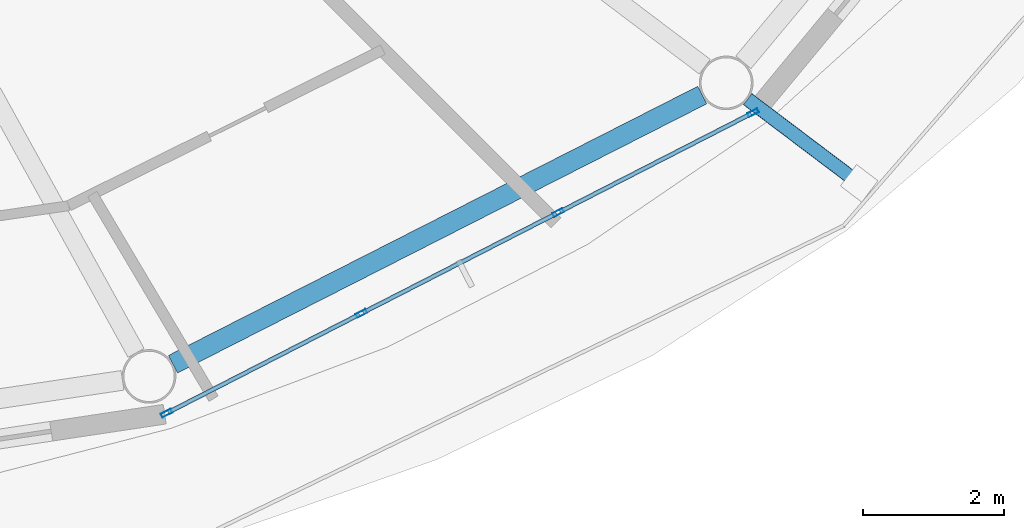
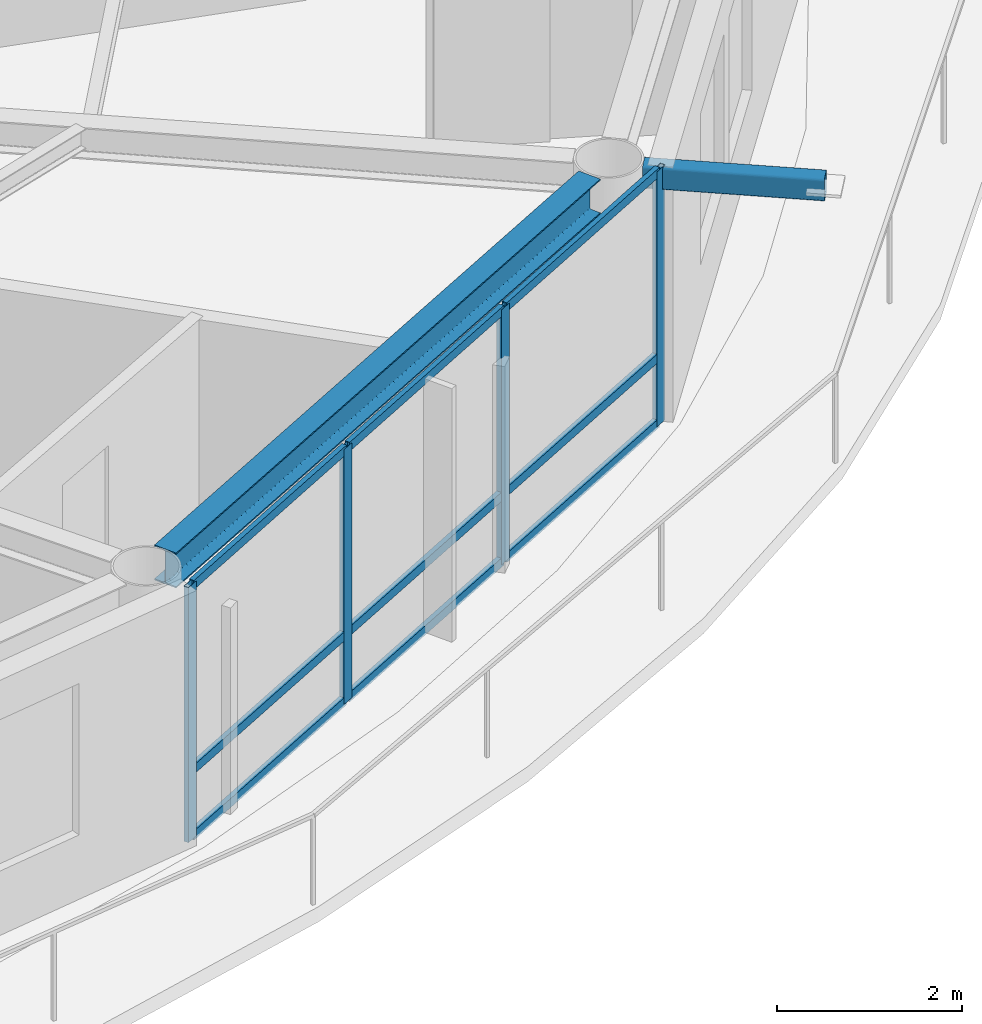
# One storey, part 5 of 23: 14 members, 1 beam, 1 element without a shape of its own.
"""IFC4 building model written with IfcOpenShell, lengths in metres."""

from ifc_helpers import new_model, si_unit, direction, frame, origin, origin_2d, place, context, subcontext, project, spatial, hollow_rectangle, i_section, extrude, material, layer, layer_set, material_profile, profile_set, type_object, element, aggregate, save


model = new_model("IFC4")

# Units and contexts
model_context = context("Model", 3, precision=1e-05, world=origin(), true_north=direction((0.0, 1.0)))
body_context = subcontext(model_context, "Body", "Model", "MODEL_VIEW")
ifc_project = project(units=[si_unit("LENGTHUNIT", "METRE"), si_unit("AREAUNIT", "SQUARE_METRE"), si_unit("VOLUMEUNIT", "CUBIC_METRE"), si_unit("PLANEANGLEUNIT", "RADIAN"), si_unit("MASSUNIT", "GRAM", prefix="KILO")], contexts=[model_context])

# Site, building, storey
site_placement = place(None, origin())
site = spatial("IfcSite", under=ifc_project, at=site_placement, CompositionType="ELEMENT")
building_placement = place(site_placement, origin())
building = spatial("IfcBuilding", under=site, at=building_placement, Name="Sarneth Arch Tower", CompositionType="ELEMENT")
storey_placement = place(building_placement, frame((0.0, 0.0, 265.800048828125)))
storey = spatial("IfcBuildingStorey", under=building, at=storey_placement, Name="L68", CompositionType="ELEMENT", Elevation=265.800048828125)

# Beam
ifc_material_1 = material(Name="Steel S355", Category="steel")
ifc_material_profile_1 = material_profile(ifc_material_1, i_section(OverallWidth=0.280029296875, OverallDepth=0.462890625, WebThickness=0.0107421875, FlangeThickness=0.017333984375, FilletRadius=0.01806640625, at=origin_2d()), Name="W460x113")
ifc_profile_set_1 = profile_set([ifc_material_profile_1], Name="Steel S355")
beam_type = type_object("IfcBeamType", Name="BM-RAD-460A", PredefinedType="BEAM", material=ifc_profile_set_1)
beam_placement = place(storey_placement, frame((58.13037109375, 24.434326171875, 3.138427734375), z_axis=(0.891373613492, 0.453269325204, 0.0), x_axis=(-0.453269325204, 0.891373613492, 0.0)))
element("IfcBeam", 1, at=beam_placement, inside=storey, type_object=beam_type, Name="L68 Perimeter spandrel beam 14", PredefinedType="BEAM", context=body_context, shape_type="SweptSolid", body=[
    extrude(i_section(OverallWidth=0.280029296875, OverallDepth=0.462890625, WebThickness=0.0107421875, FlangeThickness=0.017333984375, FilletRadius=0.01806640625, at=origin_2d()), origin(), (0.0, 0.0, 1.0), 8.419677734375),
])

# Curtain wall, members
ifc_material_2 = material(Name="Anodised aluminium Type AA25 and solar-control low-e laminated IGU", Category="aluminium")
ifc_layer = layer(ifc_material_2, 0.179931640625)
ifc_layer_set = layer_set([ifc_layer], Name="Anodised aluminium Type AA25 and solar-control low-e laminated IGU")
curtain_wall_type = type_object("IfcCurtainWallType", Name="CW-RES-HIGH", PredefinedType="NOTDEFINED", material=ifc_layer_set)
curtain_wall_placement = place(storey_placement, origin())
curtain_wall = element("IfcCurtainWall", 2, at=curtain_wall_placement, inside=storey, type_object=curtain_wall_type, Name="L68 Unitised curtain wall facet 14", PredefinedType="NOTDEFINED")
ifc_material_3 = material(Name="Anodised Aluminium 6063-T6", Category="aluminium")
ifc_material_profile_2 = material_profile(ifc_material_3, hollow_rectangle(XDim=0.06005859375, YDim=0.159912109375, WallThickness=0.00390625, at=origin_2d()), Name="AL-MULL-160x60x4")
ifc_profile_set_2 = profile_set([ifc_material_profile_2], Name="Anodised Aluminium 6063-T6")
member_type_1 = type_object("IfcMemberType", Name="CW-MULLION", PredefinedType="MULLION", material=ifc_profile_set_2)
member_1_placement = place(storey_placement, frame((58.039306640625, 23.7392578125, 0.0), z_axis=(0.0, 0.0, 1.0), x_axis=(-0.455941901753, 0.890009540525, 0.0)))
member_1 = element("IfcMember", 3, at=member_1_placement, type_object=member_type_1, Name="CW-SYS-6 mullion 1", PredefinedType="MULLION", context=body_context, shape_type="SweptSolid", body=[
    extrude(hollow_rectangle(XDim=0.06005859375, YDim=0.159912109375, WallThickness=0.00390625, at=origin_2d()), origin(), (0.0, 0.0, 1.0), 3.369873046875),
])
member_2_placement = place(storey_placement, frame((60.802490234375, 25.155029296875, 0.0), z_axis=(0.0, 0.0, 1.0), x_axis=(-0.455941901753, 0.890009540525, 0.0)))
member_2 = element("IfcMember", 4, at=member_2_placement, type_object=member_type_1, Name="CW-SYS-6 mullion 2", PredefinedType="MULLION", context=body_context, shape_type="SweptSolid", body=[
    extrude(hollow_rectangle(XDim=0.06005859375, YDim=0.159912109375, WallThickness=0.00390625, at=origin_2d()), origin(), (0.0, 0.0, 1.0), 3.369873046875),
])
member_3_placement = place(storey_placement, frame((63.592529296875, 26.584228515625, 0.0), z_axis=(0.0, 0.0, 1.0), x_axis=(-0.455941901753, 0.890009540525, 0.0)))
member_3 = element("IfcMember", 5, at=member_3_placement, type_object=member_type_1, Name="CW-SYS-6 mullion 3", PredefinedType="MULLION", context=body_context, shape_type="SweptSolid", body=[
    extrude(hollow_rectangle(XDim=0.06005859375, YDim=0.159912109375, WallThickness=0.00390625, at=origin_2d()), origin(), (0.0, 0.0, 1.0), 3.369873046875),
])
member_4_placement = place(storey_placement, frame((66.355712890625, 27.999755859375, 0.0), z_axis=(0.0, 0.0, 1.0), x_axis=(-0.455941901753, 0.890009540525, 0.0)))
member_4 = element("IfcMember", 6, at=member_4_placement, type_object=member_type_1, Name="CW-SYS-6 mullion 4", PredefinedType="MULLION", context=body_context, shape_type="SweptSolid", body=[
    extrude(hollow_rectangle(XDim=0.06005859375, YDim=0.159912109375, WallThickness=0.00390625, at=origin_2d()), origin(), (0.0, 0.0, 1.0), 3.369873046875),
])
ifc_material_4 = material(Name="Anodised Aluminium 6063-T6", Category="aluminium")
ifc_material_profile_3 = material_profile(ifc_material_4, hollow_rectangle(XDim=0.06005859375, YDim=0.1201171875, WallThickness=0.00390625, at=origin_2d()), Name="AL-TRAN-120x60x4")
ifc_profile_set_3 = profile_set([ifc_material_profile_3], Name="Anodised Aluminium 6063-T6")
member_type_2 = type_object("IfcMemberType", Name="CW-TRANSOM", PredefinedType="USERDEFINED", material=ifc_profile_set_3)
member_5_placement = place(storey_placement, frame((58.066162109375, 23.7529296875, 0.030029296875), z_axis=(0.889973523166, 0.456012201662, 0.0), x_axis=(-0.456012201662, 0.889973523166, 0.0)))
member_5 = element("IfcMember", 7, at=member_5_placement, type_object=member_type_2, Name="CW-SYS-6 transom 1.1", ObjectType="TRANSOM", PredefinedType="USERDEFINED", context=body_context, shape_type="SweptSolid", body=[
    extrude(hollow_rectangle(XDim=0.06005859375, YDim=0.1201171875, WallThickness=0.00390625, at=origin_2d()), origin(), (0.0, 0.0, 1.0), 3.044677734375),
])
member_6_placement = place(storey_placement, frame((58.066162109375, 23.7529296875, 0.89990234375), z_axis=(0.889973523166, 0.456012201662, 0.0), x_axis=(-0.456012201662, 0.889973523166, 0.0)))
member_6 = element("IfcMember", 8, at=member_6_placement, type_object=member_type_2, Name="CW-SYS-6 transom 1.2", ObjectType="TRANSOM", PredefinedType="USERDEFINED", context=body_context, shape_type="SweptSolid", body=[
    extrude(hollow_rectangle(XDim=0.06005859375, YDim=0.1201171875, WallThickness=0.00390625, at=origin_2d()), origin(), (0.0, 0.0, 1.0), 3.044677734375),
])
member_7_placement = place(storey_placement, frame((58.066162109375, 23.7529296875, 3.33984375), z_axis=(0.889973523166, 0.456012201662, 0.0), x_axis=(-0.456012201662, 0.889973523166, 0.0)))
member_7 = element("IfcMember", 9, at=member_7_placement, type_object=member_type_2, Name="CW-SYS-6 transom 1.3", ObjectType="TRANSOM", PredefinedType="USERDEFINED", context=body_context, shape_type="SweptSolid", body=[
    extrude(hollow_rectangle(XDim=0.06005859375, YDim=0.1201171875, WallThickness=0.00390625, at=origin_2d()), origin(), (0.0, 0.0, 1.0), 3.044677734375),
])
member_8_placement = place(storey_placement, frame((60.829345703125, 25.168701171875, 0.030029296875), z_axis=(0.890017432405, 0.455926496286, 0.0), x_axis=(-0.455926496286, 0.890017432405, 0.0)))
member_8 = element("IfcMember", 10, at=member_8_placement, type_object=member_type_2, Name="CW-SYS-6 transom 2.1", ObjectType="TRANSOM", PredefinedType="USERDEFINED", context=body_context, shape_type="SweptSolid", body=[
    extrude(hollow_rectangle(XDim=0.06005859375, YDim=0.1201171875, WallThickness=0.00390625, at=origin_2d()), origin(), (0.0, 0.0, 1.0), 3.07470703125),
])
member_9_placement = place(storey_placement, frame((60.829345703125, 25.168701171875, 0.89990234375), z_axis=(0.890017432405, 0.455926496286, 0.0), x_axis=(-0.455926496286, 0.890017432405, 0.0)))
member_9 = element("IfcMember", 11, at=member_9_placement, type_object=member_type_2, Name="CW-SYS-6 transom 2.2", ObjectType="TRANSOM", PredefinedType="USERDEFINED", context=body_context, shape_type="SweptSolid", body=[
    extrude(hollow_rectangle(XDim=0.06005859375, YDim=0.1201171875, WallThickness=0.00390625, at=origin_2d()), origin(), (0.0, 0.0, 1.0), 3.07470703125),
])
member_10_placement = place(storey_placement, frame((60.829345703125, 25.168701171875, 3.33984375), z_axis=(0.890017432405, 0.455926496286, 0.0), x_axis=(-0.455926496286, 0.890017432405, 0.0)))
member_10 = element("IfcMember", 12, at=member_10_placement, type_object=member_type_2, Name="CW-SYS-6 transom 2.3", ObjectType="TRANSOM", PredefinedType="USERDEFINED", context=body_context, shape_type="SweptSolid", body=[
    extrude(hollow_rectangle(XDim=0.06005859375, YDim=0.1201171875, WallThickness=0.00390625, at=origin_2d()), origin(), (0.0, 0.0, 1.0), 3.07470703125),
])
member_11_placement = place(storey_placement, frame((63.619140625, 26.597900390625, 0.030029296875), z_axis=(0.890022732705, 0.455916149384, 0.0), x_axis=(-0.455916149384, 0.890022732705, 0.0)))
member_11 = element("IfcMember", 13, at=member_11_placement, type_object=member_type_2, Name="CW-SYS-6 transom 3.1", ObjectType="TRANSOM", PredefinedType="USERDEFINED", context=body_context, shape_type="SweptSolid", body=[
    extrude(hollow_rectangle(XDim=0.06005859375, YDim=0.1201171875, WallThickness=0.00390625, at=origin_2d()), origin(), (0.0, 0.0, 1.0), 3.044921875),
])
member_12_placement = place(storey_placement, frame((63.619140625, 26.597900390625, 0.89990234375), z_axis=(0.890022732705, 0.455916149384, 0.0), x_axis=(-0.455916149384, 0.890022732705, 0.0)))
member_12 = element("IfcMember", 14, at=member_12_placement, type_object=member_type_2, Name="CW-SYS-6 transom 3.2", ObjectType="TRANSOM", PredefinedType="USERDEFINED", context=body_context, shape_type="SweptSolid", body=[
    extrude(hollow_rectangle(XDim=0.06005859375, YDim=0.1201171875, WallThickness=0.00390625, at=origin_2d()), origin(), (0.0, 0.0, 1.0), 3.044921875),
])
member_13_placement = place(storey_placement, frame((63.619140625, 26.597900390625, 3.33984375), z_axis=(0.890022732705, 0.455916149384, 0.0), x_axis=(-0.455916149384, 0.890022732705, 0.0)))
member_13 = element("IfcMember", 15, at=member_13_placement, type_object=member_type_2, Name="CW-SYS-6 transom 3.3", ObjectType="TRANSOM", PredefinedType="USERDEFINED", context=body_context, shape_type="SweptSolid", body=[
    extrude(hollow_rectangle(XDim=0.06005859375, YDim=0.1201171875, WallThickness=0.00390625, at=origin_2d()), origin(), (0.0, 0.0, 1.0), 3.044921875),
])
aggregate(curtain_wall, [member_1, member_2, member_3, member_4, member_5, member_6, member_7, member_8, member_9, member_10, member_11, member_12, member_13])

# Member
ifc_material_5 = material(Name="Steel S355", Category="steel")
ifc_material_profile_4 = material_profile(ifc_material_5, hollow_rectangle(XDim=0.199951171875, YDim=0.300048828125, WallThickness=0.012451171875, InnerFilletRadius=0.018798828125, OuterFilletRadius=0.03125, at=origin_2d()), Name="RHS300x200x12.5")
ifc_profile_set_4 = profile_set([ifc_material_profile_4], Name="Steel S355")
member_type_3 = type_object("IfcMemberType", Name="MEM-CANT-STRUT", PredefinedType="STRUT", material=ifc_profile_set_4)
member_14_placement = place(storey_placement, frame((66.279296875, 28.19384765625, 3.2099609375), z_axis=(0.798000267782, -0.602657093727, 0.0), x_axis=(0.602657093727, 0.798000267782, 0.0)))
element("IfcMember", 16, at=member_14_placement, inside=storey, type_object=member_type_3, Name="L68 Balcony cantilever bracket 15", PredefinedType="STRUT", context=body_context, shape_type="SweptSolid", body=[
    extrude(hollow_rectangle(XDim=0.199951171875, YDim=0.300048828125, WallThickness=0.012451171875, InnerFilletRadius=0.018798828125, OuterFilletRadius=0.03125, at=origin_2d()), origin(), (0.0, 0.0, 1.0), 1.982177734375),
])

save(model, "model.ifc")
